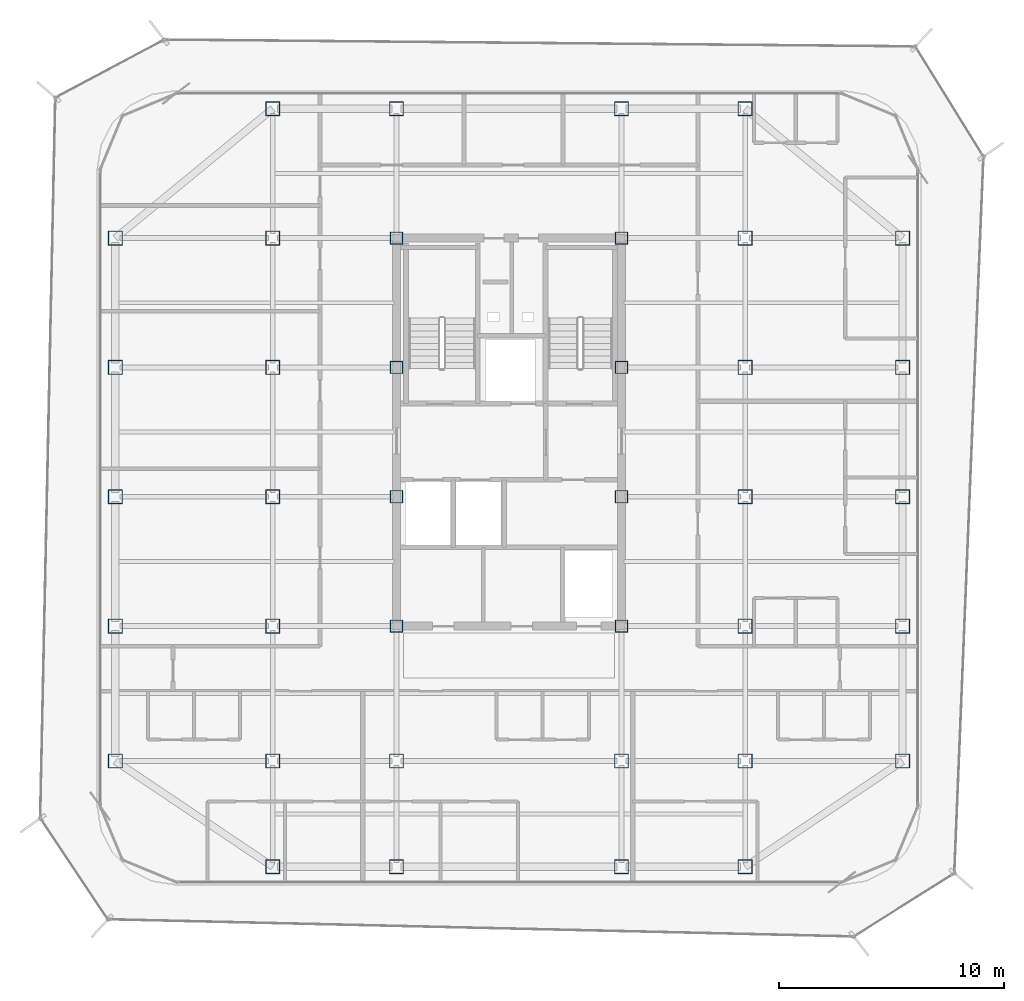
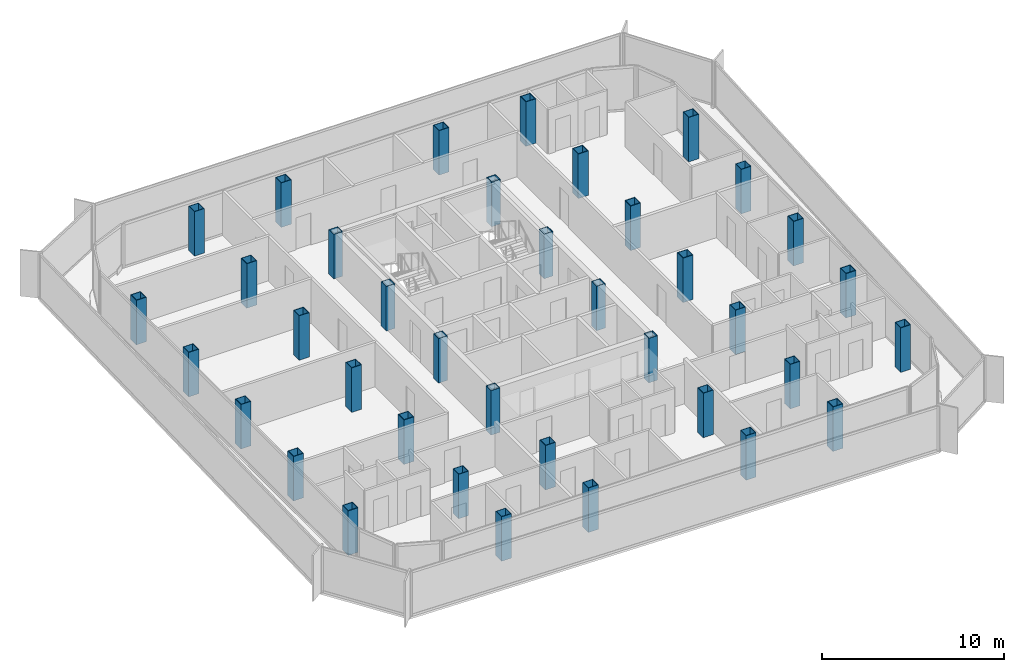
# One storey, part 1 of 15: 38 columns.
"""IFC4 building model written with IfcOpenShell, lengths in metres."""

import ifcopenshell
import ifcopenshell.guid

model = None  # the IFC model being written
_history = None  # IfcOwnerHistory: only IFC2X3 demands one
_inside = {}  # id of a spatial element -> (the spatial element, [elements in it])
_under = {}  # id of a project, library or spatial element -> (it, [spatial elements below it])
_declared = {}  # id of a project -> (the project, [libraries it declares])
_typed = {}  # id of a type object -> (the type object, [elements of that type])
_made_of = {}  # id of a material, layer set ... -> (it, [elements and type objects made of it])


def new_model(schema):
    """Start an empty IFC model of exactly this schema.

    Asked for "IFC4X3", IfcOpenShell would pick the latest addendum, in which some entities
    have other attributes; the version numbers below select the first issue.
    IFC2X3 requires an IfcOwnerHistory on every rooted entity: one is made here for all.
    """
    global model, _history
    if schema == "IFC4X3":
        model = ifcopenshell.file(schema_version=(4, 3, 0, 0))
    else:
        model = ifcopenshell.file(schema=schema)
    _inside.clear()
    _under.clear()
    _declared.clear()
    _typed.clear()
    _made_of.clear()
    _history = None
    if model.schema == "IFC2X3":
        org = make("IfcOrganization", Name="unknown")
        user = make(
            "IfcPersonAndOrganization",
            ThePerson=make("IfcPerson", FamilyName="unknown"),
            TheOrganization=org,
        )
        app = make(
            "IfcApplication",
            ApplicationDeveloper=org,
            Version="unknown",
            ApplicationFullName="unknown",
            ApplicationIdentifier="unknown",
        )
        _history = make(
            "IfcOwnerHistory",
            OwningUser=user,
            OwningApplication=app,
            ChangeAction="ADDED",
            CreationDate=0,
        )
    return model


def make(cls, **values):
    """One entity of the class cls with the attributes given. An attribute that is None is left unset."""
    return model.create_entity(
        cls, **{name: value for name, value in values.items() if value is not None}
    )


def rooted(cls, **values):
    """An entity with a GlobalId (a new one), such as an element, a storey or a relation."""
    return make(cls, GlobalId=ifcopenshell.guid.new(), OwnerHistory=_history, **values)


def si_unit(unit_type, name, prefix=None):
    """IfcSIUnit, for example si_unit("LENGTHUNIT", "METRE", prefix="MILLI")."""
    return make("IfcSIUnit", UnitType=unit_type, Prefix=prefix, Name=name)


def assignment(units):
    """IfcUnitAssignment: the units of a project."""
    return None if units is None else make("IfcUnitAssignment", Units=units)


def point(xyz):
    """IfcCartesianPoint."""
    return None if xyz is None else make("IfcCartesianPoint", Coordinates=xyz)


def direction(xyz):
    """IfcDirection."""
    return None if xyz is None else make("IfcDirection", DirectionRatios=xyz)


def frame(location, z_axis=None, x_axis=None):
    """IfcAxis2Placement3D, a coordinate frame: its origin and axes. An axis left out is left unset."""
    return make(
        "IfcAxis2Placement3D",
        Location=point(location),
        Axis=direction(z_axis),
        RefDirection=direction(x_axis),
    )


def frame_2d(location, x_axis=None):
    """IfcAxis2Placement2D, a coordinate frame in the plane: its origin and x axis."""
    return make(
        "IfcAxis2Placement2D", Location=point(location), RefDirection=direction(x_axis)
    )


def origin():
    """The frame at (0, 0, 0) with its axes left unset."""
    return frame((0.0, 0.0, 0.0))


def origin_2d():
    """The frame at (0, 0) in the plane with its x axis left unset."""
    return frame_2d((0.0, 0.0))


def place(relative_to, where):
    """IfcLocalPlacement: puts the frame where relative to a parent placement (None: the world)."""
    return make(
        "IfcLocalPlacement", PlacementRelTo=relative_to, RelativePlacement=where
    )


def context(
    kind, dimensions, precision=None, world=None, true_north=None, identifier=None
):
    """IfcGeometricRepresentationContext, for example the 3D "Model" context."""
    return make(
        "IfcGeometricRepresentationContext",
        ContextIdentifier=identifier,
        ContextType=kind,
        CoordinateSpaceDimension=dimensions,
        Precision=precision,
        WorldCoordinateSystem=world,
        TrueNorth=true_north,
    )


def subcontext(parent, identifier, kind, view, scale=None):
    """IfcGeometricRepresentationSubContext, for example "Body" below "Model"."""
    return make(
        "IfcGeometricRepresentationSubContext",
        ContextIdentifier=identifier,
        ContextType=kind,
        ParentContext=parent,
        TargetScale=scale,
        TargetView=view,
    )


def project(units=None, contexts=None):
    """IfcProject with its units and contexts."""
    return rooted(
        "IfcProject",
        Name="project",
        RepresentationContexts=contexts,
        UnitsInContext=assignment(units),
    )


def spatial(cls, under=None, at=None, **own):
    """A site, building, storey or space (cls), placed at a placement, below another one or the project."""
    s = rooted(cls, ObjectPlacement=at, **own)
    if under is not None:
        _under.setdefault(under.id(), (under, []))[1].append(s)
    return s


def profile(cls, at=None, kind="AREA", **sizes):
    """A parametric profile (cls). Its sizes go by their IFC names, for example OverallWidth=200.0."""
    return make(cls, ProfileType=kind, Position=at, **sizes)


def hollow_rectangle(**sizes):
    """IfcRectangleHollowProfileDef."""
    return profile("IfcRectangleHollowProfileDef", **sizes)


def extrude(swept, where, along, depth):
    """IfcExtrudedAreaSolid: the profile swept, set in the frame where, extruded along a direction by depth."""
    return make(
        "IfcExtrudedAreaSolid",
        SweptArea=swept,
        Position=where,
        ExtrudedDirection=direction(along),
        Depth=depth,
    )


def shape(context_of_items, identifier, shape_type, items):
    """IfcShapeRepresentation: the items that make up one representation, for example the "Body"."""
    return make(
        "IfcShapeRepresentation",
        ContextOfItems=context_of_items,
        RepresentationIdentifier=identifier,
        RepresentationType=shape_type,
        Items=items,
    )


def source(mapping_origin, context_of_items, identifier, shape_type, items):
    """IfcRepresentationMap: a shape defined once, which mapped items show again and again."""
    return make(
        "IfcRepresentationMap",
        MappingOrigin=mapping_origin,
        MappedRepresentation=shape(context_of_items, identifier, shape_type, items),
    )


def transform(
    local_origin,
    x_axis=None,
    y_axis=None,
    z_axis=None,
    scale=None,
    scale2=None,
    scale3=None,
    uniform=True,
):
    """IfcCartesianTransformationOperator3D, or its non-uniform kind. x_axis, y_axis, z_axis: its Axis1, 2, 3."""
    if uniform:
        return make(
            "IfcCartesianTransformationOperator3D",
            Axis1=direction(x_axis),
            Axis2=direction(y_axis),
            LocalOrigin=point(local_origin),
            Scale=scale,
            Axis3=direction(z_axis),
        )
    return make(
        "IfcCartesianTransformationOperator3DnonUniform",
        Axis1=direction(x_axis),
        Axis2=direction(y_axis),
        LocalOrigin=point(local_origin),
        Scale=scale,
        Axis3=direction(z_axis),
        Scale2=scale2,
        Scale3=scale3,
    )


def mapped(mapping_source, mapping_target):
    """IfcMappedItem: shows the shape of a source again, moved by a transform."""
    return make(
        "IfcMappedItem", MappingSource=mapping_source, MappingTarget=mapping_target
    )


def material(Name=None, Category=None):
    """IfcMaterial."""
    return make("IfcMaterial", Name=Name, Category=Category)


def material_profile(
    of_material, cross_section, Name=None, Category=None, Priority=None
):
    """IfcMaterialProfile: a cross section and its material."""
    return make(
        "IfcMaterialProfile",
        Name=Name,
        Material=of_material,
        Profile=cross_section,
        Priority=Priority,
        Category=Category,
    )


def profile_set(profiles, Name=None, composite=None):
    """IfcMaterialProfileSet."""
    return make(
        "IfcMaterialProfileSet",
        Name=Name,
        MaterialProfiles=profiles,
        CompositeProfile=composite,
    )


def made_of(thing, what):
    """Note that an element or type object is made of a material, layer set ...; save() writes the relation."""
    if what is not None:
        _made_of.setdefault(what.id(), (what, []))[1].append(thing)
    return thing


def type_object(cls, material=None, **own):
    """A type object (cls), such as IfcWallType, which elements share."""
    return made_of(rooted(cls, **own), material)


def element(
    cls,
    number,
    at=None,
    inside=None,
    cuts=None,
    type_object=None,
    material=None,
    context=None,
    identifier="Body",
    shape_type=None,
    held_by="IfcProductDefinitionShape",
    body=None,
    shapes=None,
    **own,
):
    """One element of the class cls, such as IfcWall. Its Tag is "e" and its number.

    at: its placement. inside: the storey or other place that contains it. cuts: it is an
    opening in that element (IfcRelVoidsElement). A single representation is given by context,
    identifier, shape_type and body (its items); several are given by shapes. held_by: the class
    of the entity that holds the representations. save() writes the other relations.
    """
    e = rooted(cls, Tag="e%d" % number, ObjectPlacement=at, **own)
    if body is not None:
        shapes = [shape(context, identifier, shape_type, body)]
    if shapes is not None:
        e.Representation = make(held_by, Representations=shapes)
    if inside is not None:
        _inside.setdefault(inside.id(), (inside, []))[1].append(e)
    if cuts is not None:
        rooted(
            "IfcRelVoidsElement", RelatingBuildingElement=cuts, RelatedOpeningElement=e
        )
    if type_object is not None:
        _typed.setdefault(type_object.id(), (type_object, []))[1].append(e)
    return made_of(e, material)


def aggregate(whole, parts):
    """IfcRelAggregates: a whole, such as a stair, and the parts it consists of."""
    return rooted("IfcRelAggregates", RelatingObject=whole, RelatedObjects=parts)


def save(model, path):
    """Write the relations noted so far, then the file.

    IfcRelAggregates (storeys below a building ...), IfcRelContainedInSpatialStructure (elements
    in a storey), IfcRelDefinesByType, IfcRelAssociatesMaterial and IfcRelDeclares: one each for
    every whole, place, type object, material and project.
    """
    for whole, parts in _under.values():
        aggregate(whole, parts)
    for where, things in _inside.values():
        rooted(
            "IfcRelContainedInSpatialStructure",
            RelatedElements=things,
            RelatingStructure=where,
        )
    for kind, things in _typed.values():
        rooted("IfcRelDefinesByType", RelatedObjects=things, RelatingType=kind)
    for what, things in _made_of.values():
        rooted("IfcRelAssociatesMaterial", RelatedObjects=things, RelatingMaterial=what)
    for by, libraries in _declared.values():
        rooted("IfcRelDeclares", RelatingContext=by, RelatedDefinitions=libraries)
    model.write(path)


model = new_model("IFC4")

# Units and contexts
model_context = context("Model", 3, precision=1e-05, world=origin(), true_north=direction((0.0, 1.0)))
body_context = subcontext(model_context, "Body", "Model", "MODEL_VIEW")
ifc_project = project(units=[si_unit("LENGTHUNIT", "METRE"), si_unit("AREAUNIT", "SQUARE_METRE"), si_unit("VOLUMEUNIT", "CUBIC_METRE"), si_unit("PLANEANGLEUNIT", "RADIAN"), si_unit("MASSUNIT", "GRAM", prefix="KILO")], contexts=[model_context])

# Site, building, storey
site_placement = place(None, origin())
site = spatial("IfcSite", under=ifc_project, at=site_placement, CompositionType="ELEMENT")
building_placement = place(site_placement, origin())
building = spatial("IfcBuilding", under=site, at=building_placement, Name="Kolveth Station Tower", CompositionType="ELEMENT")
storey_placement = place(building_placement, frame((0.0, 0.0, 255.300048828125)))
storey = spatial("IfcBuildingStorey", under=building, at=storey_placement, Name="L73", CompositionType="ELEMENT", Elevation=255.300048828125)

# Columns
ifc_material = material(Name="Steel S355", Category="steel")
ifc_material_profile_1 = material_profile(ifc_material, hollow_rectangle(XDim=0.639892578125, YDim=0.639892578125, WallThickness=0.034912109375, at=origin_2d()), Name="BOX640x640x35")
ifc_profile_set_1 = profile_set([ifc_material_profile_1], Name="Steel S355")
column_type_1 = type_object("IfcColumnType", Name="Col_C7", PredefinedType="COLUMN", material=ifc_profile_set_1)
shared_shape_1 = source(origin(), body_context, "Body", "SweptSolid", [
    extrude(hollow_rectangle(XDim=0.639892578125, YDim=0.639892578125, WallThickness=0.034912109375, at=origin_2d()), origin(), (0.0, 0.0, 1.0), 2.97998046875),
])
for number, where, z_axis, x_axis, name in (
    (1, (13.0, 0.800048828125, 0.0), (0.0, 0.0, 1.0), (1.0, 0.0, 0.0), "L73 Tower Column S-X130"),
    (2, (13.0, 34.5, 0.0), (0.0, 0.0, 1.0), (1.0, 0.0, 0.0), "L73 Tower Column N-X130"),
    (3, (18.5, 0.800048828125, 0.0), (0.0, 0.0, 1.0), (1.0, 0.0, 0.0), "L73 Tower Column S-X185"),
    (4, (18.5, 34.5, 0.0), (0.0, 0.0, 1.0), (1.0, 0.0, 0.0), "L73 Tower Column N-X185"),
    (5, (28.5, 0.800048828125, 0.0), (0.0, 0.0, 1.0), (1.0, 0.0, 0.0), "L73 Tower Column S-X285"),
    (6, (28.5, 34.5, 0.0), (0.0, 0.0, 1.0), (1.0, 0.0, 0.0), "L73 Tower Column N-X285"),
    (7, (34.0, 0.800048828125, 0.0), (0.0, 0.0, 1.0), (1.0, 0.0, 0.0), "L73 Tower Column S-X340"),
    (8, (34.0, 34.5, 0.0), (0.0, 0.0, 1.0), (1.0, 0.0, 0.0), "L73 Tower Column N-X340"),
    (9, (6.0, 5.5, 0.0), (0.0, 0.0, 1.0), (1.0, 0.0, 0.0), "L73 Tower Column W-Y55"),
    (10, (41.0, 5.5, 0.0), (0.0, 0.0, 1.0), (1.0, 0.0, 0.0), "L73 Tower Column E-Y55"),
    (11, (6.0, 11.5, 0.0), (0.0, 0.0, 1.0), (1.0, 0.0, 0.0), "L73 Tower Column W-Y115"),
    (12, (41.0, 11.5, 0.0), (0.0, 0.0, 1.0), (1.0, 0.0, 0.0), "L73 Tower Column E-Y115"),
    (13, (6.0, 17.25, 0.0), (0.0, 0.0, 1.0), (1.0, 0.0, 0.0), "L73 Tower Column W-Y172"),
    (14, (41.0, 17.25, 0.0), (0.0, 0.0, 1.0), (1.0, 0.0, 0.0), "L73 Tower Column E-Y172"),
    (15, (6.0, 23.0, 0.0), (0.0, 0.0, 1.0), (1.0, 0.0, 0.0), "L73 Tower Column W-Y230"),
    (16, (41.0, 23.0, 0.0), (0.0, 0.0, 1.0), (1.0, 0.0, 0.0), "L73 Tower Column E-Y230"),
    (17, (6.0, 28.75, 0.0), (0.0, 0.0, 1.0), (1.0, 0.0, 0.0), "L73 Tower Column W-Y287"),
    (18, (41.0, 28.75, 0.0), (0.0, 0.0, 1.0), (1.0, 0.0, 0.0), "L73 Tower Column E-Y287"),
    (19, (13.0, 5.5, 0.0), (0.0, 0.0, 1.0), (1.0, 0.0, 0.0), "L73 Tower Column G-130-55"),
    (20, (13.0, 11.5, 0.0), (0.0, 0.0, 1.0), (1.0, 0.0, 0.0), "L73 Tower Column G-130-115"),
    (21, (13.0, 17.25, 0.0), (0.0, 0.0, 1.0), (1.0, 0.0, 0.0), "L73 Tower Column G-130-172"),
    (22, (13.0, 23.0, 0.0), (0.0, 0.0, 1.0), (1.0, 0.0, 0.0), "L73 Tower Column G-130-230"),
    (23, (13.0, 28.75, 0.0), (0.0, 0.0, 1.0), (1.0, 0.0, 0.0), "L73 Tower Column G-130-287"),
    (24, (18.5, 5.5, 0.0), (0.0, 0.0, 1.0), (1.0, 0.0, 0.0), "L73 Tower Column G-185-55"),
    (25, (28.5, 5.5, 0.0), (0.0, 0.0, 1.0), (1.0, 0.0, 0.0), "L73 Tower Column G-285-55"),
    (26, (34.0, 5.5, 0.0), (0.0, 0.0, 1.0), (1.0, 0.0, 0.0), "L73 Tower Column G-340-55"),
    (27, (34.0, 11.5, 0.0), (0.0, 0.0, 1.0), (1.0, 0.0, 0.0), "L73 Tower Column G-340-115"),
    (28, (34.0, 17.25, 0.0), (0.0, 0.0, 1.0), (1.0, 0.0, 0.0), "L73 Tower Column G-340-172"),
    (29, (34.0, 23.0, 0.0), (0.0, 0.0, 1.0), (1.0, 0.0, 0.0), "L73 Tower Column G-340-230"),
    (30, (34.0, 28.75, 0.0), (0.0, 0.0, 1.0), (1.0, 0.0, 0.0), "L73 Tower Column G-340-287"),
):
    element("IfcColumn", number, at=place(storey_placement, frame(where, z_axis=z_axis, x_axis=x_axis)), inside=storey, type_object=column_type_1, Name=name, PredefinedType="COLUMN", context=body_context, shape_type="MappedRepresentation", body=[
        mapped(shared_shape_1, transform((0.0, 0.0, 0.0), x_axis=(1.0, 0.0, 0.0), y_axis=(0.0, 1.0, 0.0), z_axis=(0.0, 0.0, 1.0), scale=1.0)),
    ])
ifc_material_profile_2 = material_profile(ifc_material, hollow_rectangle(XDim=0.56005859375, YDim=0.56005859375, WallThickness=0.030029296875, at=origin_2d()), Name="BOX560x560x30")
ifc_profile_set_2 = profile_set([ifc_material_profile_2], Name="Steel S355")
column_type_2 = type_object("IfcColumnType", Name="Col_C8", PredefinedType="COLUMN", material=ifc_profile_set_2)
shared_shape_2 = source(origin(), body_context, "Body", "SweptSolid", [
    extrude(hollow_rectangle(XDim=0.56005859375, YDim=0.56005859375, WallThickness=0.030029296875, at=origin_2d()), origin(), (0.0, 0.0, 1.0), 2.97998046875),
])
for number, where, z_axis, x_axis, name in (
    (31, (18.5, 11.5, 0.0), (0.0, 0.0, 1.0), (1.0, 0.0, 0.0), "L73 Tower Column G-185-115"),
    (32, (18.5, 17.25, 0.0), (0.0, 0.0, 1.0), (1.0, 0.0, 0.0), "L73 Tower Column G-185-172"),
    (33, (18.5, 23.0, 0.0), (0.0, 0.0, 1.0), (1.0, 0.0, 0.0), "L73 Tower Column G-185-230"),
    (34, (18.5, 28.75, 0.0), (0.0, 0.0, 1.0), (1.0, 0.0, 0.0), "L73 Tower Column G-185-287"),
    (35, (28.5, 11.5, 0.0), (0.0, 0.0, 1.0), (1.0, 0.0, 0.0), "L73 Tower Column G-285-115"),
    (36, (28.5, 17.25, 0.0), (0.0, 0.0, 1.0), (1.0, 0.0, 0.0), "L73 Tower Column G-285-172"),
    (37, (28.5, 23.0, 0.0), (0.0, 0.0, 1.0), (1.0, 0.0, 0.0), "L73 Tower Column G-285-230"),
    (38, (28.5, 28.75, 0.0), (0.0, 0.0, 1.0), (1.0, 0.0, 0.0), "L73 Tower Column G-285-287"),
):
    element("IfcColumn", number, at=place(storey_placement, frame(where, z_axis=z_axis, x_axis=x_axis)), inside=storey, type_object=column_type_2, Name=name, PredefinedType="COLUMN", context=body_context, shape_type="MappedRepresentation", body=[
        mapped(shared_shape_2, transform((0.0, 0.0, 0.0), x_axis=(1.0, 0.0, 0.0), y_axis=(0.0, 1.0, 0.0), z_axis=(0.0, 0.0, 1.0), scale=1.0)),
    ])

save(model, "model.ifc")
